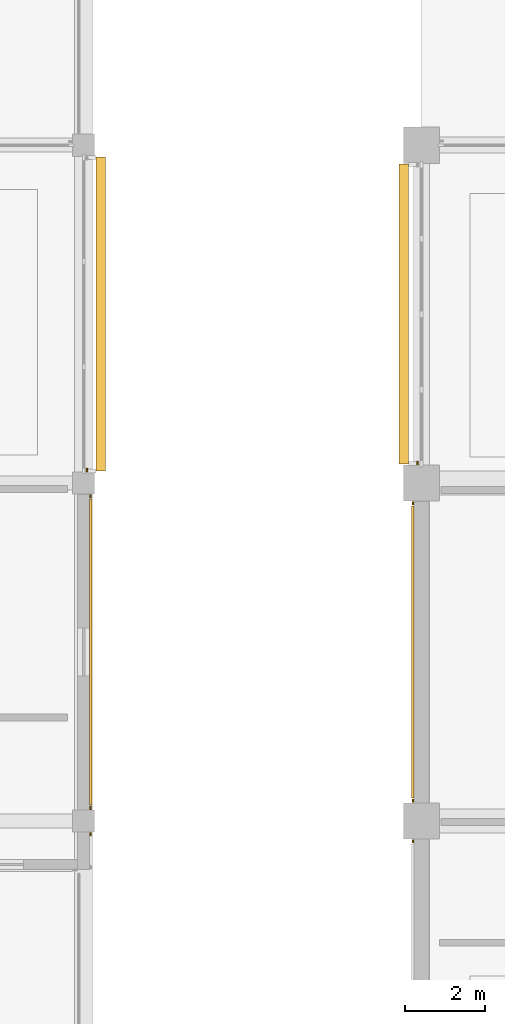
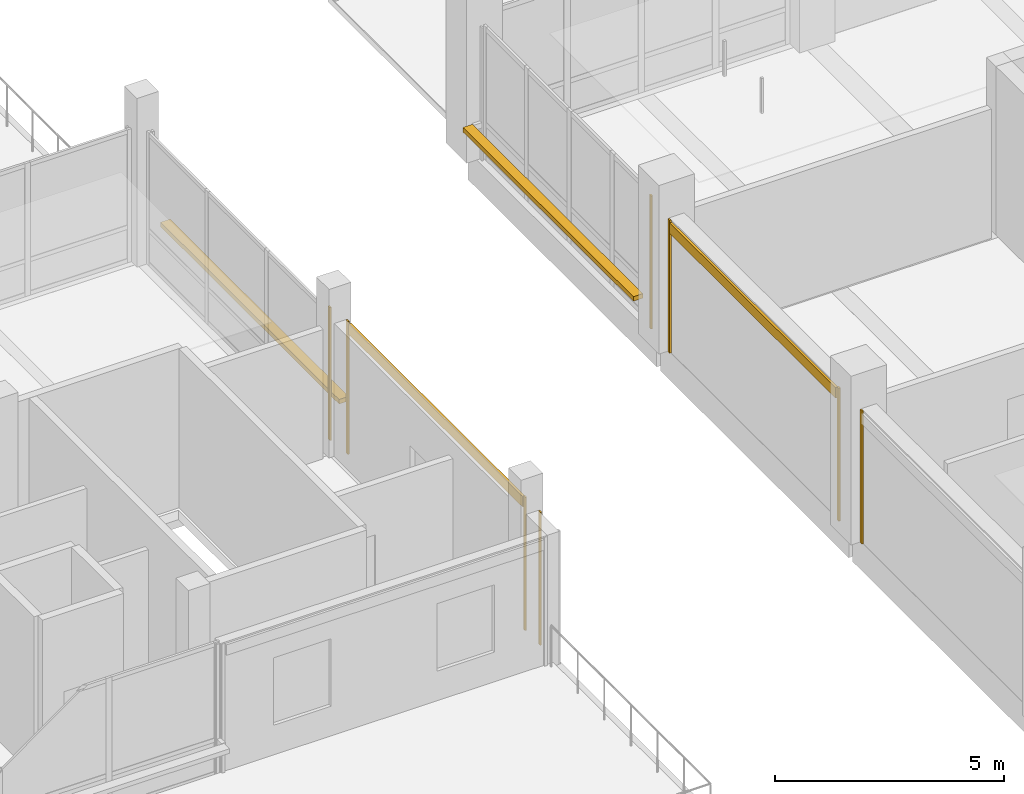
# One storey, part 44 of 59: 10 coverings, 2 shading devices.
"""IFC4 building model written with IfcOpenShell, lengths in metres."""

from ifc_helpers import new_model, si_unit, direction, frame, origin, origin_2d, place, context, subcontext, project, spatial, rectangle, extrude, material, layer, layer_set, type_object, element, save


model = new_model("IFC4")

# Units and contexts
model_context = context("Model", 3, precision=1e-05, world=origin(), true_north=direction((0.0, 1.0)))
body_context = subcontext(model_context, "Body", "Model", "MODEL_VIEW")
ifc_project = project(units=[si_unit("LENGTHUNIT", "METRE"), si_unit("AREAUNIT", "SQUARE_METRE"), si_unit("VOLUMEUNIT", "CUBIC_METRE"), si_unit("PLANEANGLEUNIT", "RADIAN"), si_unit("MASSUNIT", "GRAM", prefix="KILO")], contexts=[model_context])

# Site, building, storey
site_placement = place(None, origin())
site = spatial("IfcSite", under=ifc_project, at=site_placement, CompositionType="ELEMENT")
building_placement = place(site_placement, origin())
building = spatial("IfcBuilding", under=site, at=building_placement, Name="Telukmera Botanical Conservatory", CompositionType="ELEMENT")
storey_placement = place(building_placement, frame((0.0, 0.0, 15.0)))
storey = spatial("IfcBuildingStorey", under=building, at=storey_placement, Name="L03", CompositionType="ELEMENT", Elevation=15.0)

# Coverings
ifc_material_1 = material(Name="Granite-faced precast concrete C40/50", Category="masonry")
ifc_layer_1 = layer(ifc_material_1, 0.0400390625)
ifc_layer_set_1 = layer_set([ifc_layer_1], Name="Granite-faced precast concrete C40/50")
covering_type_1 = type_object("IfcCoveringType", Name="Granite Precast Column Pier Reveal Casing", PredefinedType="CLADDING", material=ifc_layer_set_1)
for number, where, z_axis, x_axis, name in (
    (1, (42.169921875, 25.673095703125, 0.0), (0.0, 0.0, 1.0), (0.0, 1.0, 0.0), "Granite Pier Reveal V3:L03:SEC R"),
    (2, (42.169921875, 26.326904296875, 0.0), (0.0, 0.0, 1.0), (0.0, 1.0, 0.0), "Granite Pier Reveal V3:L03:E1 L"),
    (3, (42.169921875, 34.072998046875, 0.0), (0.0, 0.0, 1.0), (0.0, 1.0, 0.0), "Granite Pier Reveal V3:L03:E1 R"),
    (4, (42.090087890625, 34.72705078125, 0.0), (0.0, 0.0, 1.0), (0.0, 1.0, 0.0), "Granite Pier Reveal V3:L03:E2 L"),
    (5, (50.18994140625, 25.498046875, 0.0), (0.0, 0.0, 1.0), (0.0, 1.0, 0.0), "Granite Pier Reveal V4:L03:W2 R"),
    (6, (50.18994140625, 26.501953125, 0.0), (0.0, 0.0, 1.0), (0.0, 1.0, 0.0), "Granite Pier Reveal V4:L03:W3 L"),
    (7, (50.18994140625, 33.89794921875, 0.0), (0.0, 0.0, 1.0), (0.0, 1.0, 0.0), "Granite Pier Reveal V4:L03:W3 R"),
    (8, (50.300048828125, 34.902099609375, 0.0), (0.0, 0.0, 1.0), (0.0, 1.0, 0.0), "Granite Pier Reveal V4:L03:W4 L"),
):
    element("IfcCovering", number, at=place(storey_placement, frame(where, z_axis=z_axis, x_axis=x_axis)), inside=storey, type_object=covering_type_1, Name=name, PredefinedType="CLADDING", context=body_context, shape_type="SweptSolid", body=[
        extrude(rectangle(XDim=0.080078125, YDim=0.0400390625, at=origin_2d()), origin(), (0.0, 0.0, 1.0), 3.550048828125),
    ])

# Shading devices
ifc_material_2 = material(Name="Perforated terracotta-anodised aluminium 6063-T6", Category="masonry")
ifc_layer_2 = layer(ifc_material_2, 0.044921875)
ifc_layer_set_2 = layer_set([ifc_layer_2], Name="Perforated terracotta-anodised aluminium 6063-T6")
shading_device_type = type_object("IfcShadingDeviceType", Name="Perforated Terracotta Aluminium Monsoon Brise Soleil", PredefinedType="JALOUSIE", material=ifc_layer_set_2)
shading_device_1_placement = place(storey_placement, frame((42.429931640625, 38.60009765625, 0.889892578125), z_axis=(0.0, 0.0, 1.0), x_axis=(0.0, 1.0, 0.0)))
element("IfcShadingDevice", 9, at=shading_device_1_placement, inside=storey, type_object=shading_device_type, Name="Monsoon Shading BS01 V3:L03:E2", PredefinedType="JALOUSIE", context=body_context, shape_type="SweptSolid", body=[
    extrude(rectangle(XDim=7.805908203125, YDim=0.239990234375, at=origin_2d()), origin(), (0.0, 0.0, 1.0), 0.1201171875),
])
shading_device_2_placement = place(storey_placement, frame((49.9599609375, 38.60009765625, 0.889892578125), z_axis=(0.0, 0.0, 1.0), x_axis=(0.0, 1.0, 0.0)))
element("IfcShadingDevice", 10, at=shading_device_2_placement, inside=storey, type_object=shading_device_type, Name="Monsoon Shading BS01 V4:L03:W4", PredefinedType="JALOUSIE", context=body_context, shape_type="SweptSolid", body=[
    extrude(rectangle(XDim=7.4560546875, YDim=0.239990234375, at=origin_2d()), origin(), (0.0, 0.0, 1.0), 0.1201171875),
])

# Coverings
ifc_material_3 = material(Name="Terracotta-faced precast concrete C40/50", Category="masonry")
ifc_layer_3 = layer(ifc_material_3, 0.06005859375)
ifc_layer_set_3 = layer_set([ifc_layer_3], Name="Terracotta-faced precast concrete C40/50")
covering_type_2 = type_object("IfcCoveringType", Name="Polychrome Terracotta Facade Band Cladding", PredefinedType="CLADDING", material=ifc_layer_set_3)
covering_1_placement = place(storey_placement, frame((42.179931640625, 30.199951171875, 3.22998046875), z_axis=(0.0, 0.0, 1.0), x_axis=(0.0, 1.0, 0.0)))
element("IfcCovering", 11, at=covering_1_placement, inside=storey, type_object=covering_type_2, Name="Polychrome Terracotta Band V3:L03:E1", PredefinedType="CLADDING", context=body_context, shape_type="SweptSolid", body=[
    extrude(rectangle(XDim=7.60595703125, YDim=0.06005859375, at=origin_2d()), origin(), (0.0, 0.0, 1.0), 0.280029296875),
])
covering_2_placement = place(storey_placement, frame((50.179931640625, 30.199951171875, 3.22998046875), z_axis=(0.0, 0.0, 1.0), x_axis=(0.0, 1.0, 0.0)))
element("IfcCovering", 12, at=covering_2_placement, inside=storey, type_object=covering_type_2, Name="Polychrome Terracotta Band V4:L03:W3", PredefinedType="CLADDING", context=body_context, shape_type="SweptSolid", body=[
    extrude(rectangle(XDim=7.256103515625, YDim=0.06005859375, at=origin_2d()), origin(), (0.0, 0.0, 1.0), 0.280029296875),
])

save(model, "model.ifc")
